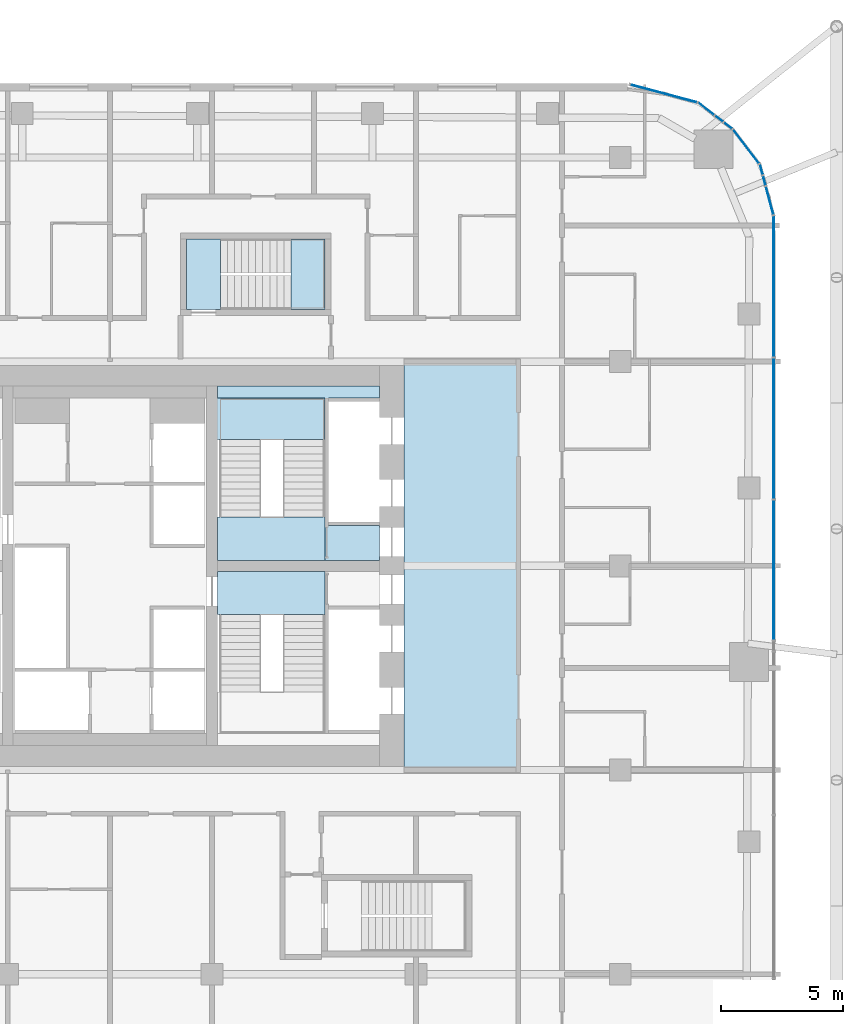
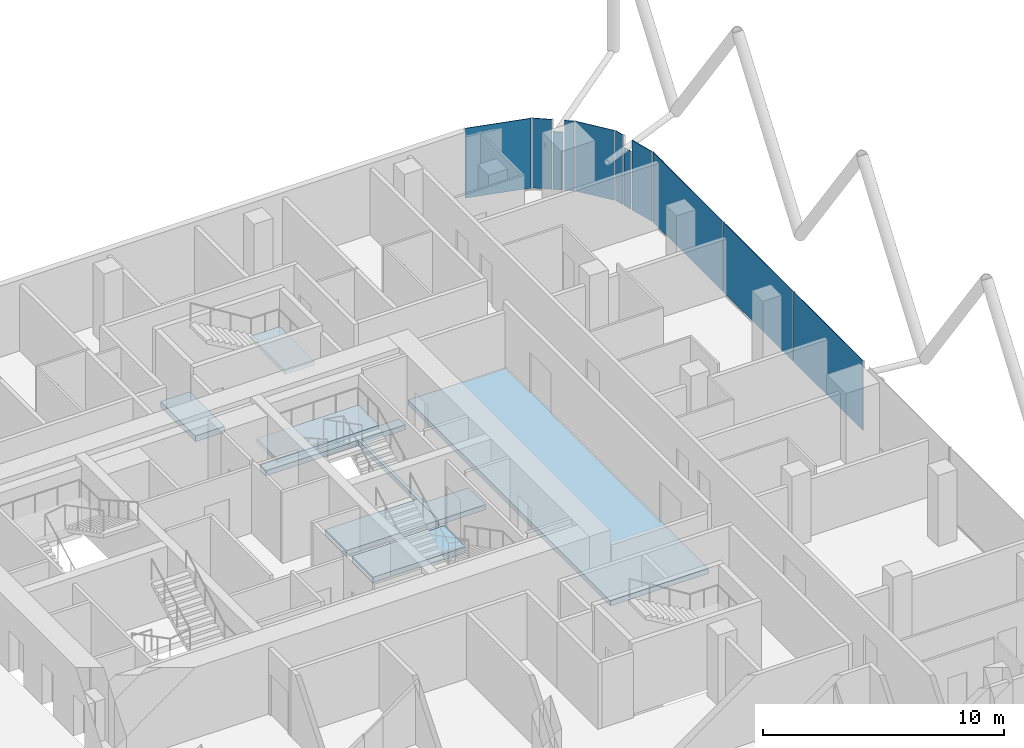
# One storey, part 26 of 36: 11 plates, 7 slabs, 11 elements without a shape of their own.
"""IFC4 building model written with IfcOpenShell, lengths in metres."""

from ifc_helpers import new_model, si_unit, direction, frame, origin, origin_2d, place, context, subcontext, project, spatial, polyline, rectangle, outline, extrude, material, layer, layer_set, type_object, element, aggregate, save


model = new_model("IFC4")

# Units and contexts
model_context = context("Model", 3, precision=1e-05, world=origin(), true_north=direction((0.0, 1.0)))
body_context = subcontext(model_context, "Body", "Model", "MODEL_VIEW")
ifc_project = project(units=[si_unit("LENGTHUNIT", "METRE"), si_unit("AREAUNIT", "SQUARE_METRE"), si_unit("VOLUMEUNIT", "CUBIC_METRE"), si_unit("PLANEANGLEUNIT", "RADIAN"), si_unit("MASSUNIT", "GRAM", prefix="KILO")], contexts=[model_context])

# Site, building, storey
site_placement = place(None, origin())
site = spatial("IfcSite", under=ifc_project, at=site_placement, CompositionType="ELEMENT")
building_placement = place(site_placement, origin())
building = spatial("IfcBuilding", under=site, at=building_placement, Name="Marenta Gate Hotel Tower", CompositionType="ELEMENT")
storey_placement = place(building_placement, frame((0.0, 0.0, 115.699951171875)))
storey = spatial("IfcBuildingStorey", under=building, at=storey_placement, Name="L25", CompositionType="ELEMENT", Elevation=115.699951171875)

# Slabs
ifc_material_1 = material(Name="Concrete C40", Category="concrete")
ifc_layer_1 = layer(ifc_material_1, 0.260009765625)
ifc_layer_set_1 = layer_set([ifc_layer_1], Name="Concrete C40")
slab_type_1 = type_object("IfcSlabType", Name="Core floor slab 260", PredefinedType="FLOOR", material=ifc_layer_set_1)
slab_1_placement = place(storey_placement, frame((0.0, 0.0, -0.260009765625)))
element("IfcSlab", 1, at=slab_1_placement, inside=storey, type_object=slab_type_1, Name="L25-CF-1", PredefinedType="FLOOR", context=body_context, shape_type="SweptSolid", body=[
    extrude(outline(polyline([(12.10009765625, 0.0), (12.10009765625, 16.800048828125), (16.800048828125, 16.800048828125), (16.800048828125, 0.0), (12.10009765625, 0.0)])), origin(), (0.0, 0.0, 1.0), 0.260009765625),
])
slab_2_placement = place(storey_placement, frame((0.0, 0.0, -0.260009765625)))
element("IfcSlab", 2, at=slab_2_placement, inside=storey, type_object=slab_type_1, Name="L25-CF-3", PredefinedType="FLOOR", context=body_context, shape_type="SweptSolid", body=[
    extrude(outline(polyline([(8.85009765625, 15.300048828125), (4.425048828125, 15.300048828125), (4.425048828125, 15.800048828125), (11.10009765625, 15.800048828125), (11.10009765625, 15.300048828125), (9.0, 15.300048828125), (9.0, 15.14990234375), (9.0, 12.75), (9.0, 12.60009765625), (9.0, 10.199951171875), (9.0, 10.050048828125), (11.10009765625, 10.050048828125), (11.10009765625, 8.625), (8.85009765625, 8.625), (8.85009765625, 8.699951171875), (8.85009765625, 10.39990234375), (8.85009765625, 15.300048828125)])), origin(), (0.0, 0.0, 1.0), 0.260009765625),
])

# Stair, slab
ifc_material_2 = material(Name="Concrete C40", Category="concrete")
stair_type_1 = type_object("IfcStairType", Name="Core exit stair 1700 wide", PredefinedType="HALF_TURN_STAIR", material=ifc_material_2)
stair_1_placement = place(storey_placement, origin())
stair_1 = element("IfcStair", 3, at=stair_1_placement, inside=storey, type_object=stair_type_1, Name="Exit stair 4", PredefinedType="HALF_TURN_STAIR")
ifc_material_3 = material(Name="Concrete C40", Category="concrete")
ifc_layer_2 = layer(ifc_material_3, 0.199951171875)
ifc_layer_set_2 = layer_set([ifc_layer_2], Name="Concrete C40")
slab_type_2 = type_object("IfcSlabType", Name="Core stair landing 200", PredefinedType="LANDING", material=ifc_layer_set_2)
slab_3_placement = place(storey_placement, frame((0.0, 0.0, 1.60009765625)))
slab_3 = element("IfcSlab", 4, at=slab_3_placement, type_object=slab_type_2, Name="SL-200 ST4 landing 1", PredefinedType="LANDING", context=body_context, shape_type="SweptSolid", body=[
    extrude(outline(polyline([(3.97509765625, 13.590087890625), (8.85009765625, 13.590087890625), (8.85009765625, 15.300048828125), (3.97509765625, 15.300048828125), (3.97509765625, 13.590087890625)])), origin(), (0.0, 0.0, 1.0), 0.199951171875),
])
aggregate(stair_1, [slab_3])

# Curtain wall, plates
ifc_material_4 = material(Name="Tinted insulated glass in bronze anodised frame", Category="glass")
ifc_layer_3 = layer(ifc_material_4, 0.1201171875)
ifc_layer_set_3 = layer_set([ifc_layer_3], Name="Tinted insulated glass in bronze anodised frame")
curtain_wall_type = type_object("IfcCurtainWallType", Name="Tower unitised curtain wall CW1", PredefinedType="NOTDEFINED", material=ifc_layer_set_3)
curtain_wall_1_placement = place(storey_placement, origin())
curtain_wall_1 = element("IfcCurtainWall", 5, at=curtain_wall_1_placement, inside=storey, type_object=curtain_wall_type, Name="CW1 run G35", PredefinedType="NOTDEFINED")
ifc_material_5 = material(Name="Tinted insulated glass", Category="glass")
ifc_layer_4 = layer(ifc_material_5, 0.028076171875)
ifc_layer_set_4 = layer_set([ifc_layer_4], Name="Tinted insulated glass")
plate_type = type_object("IfcPlateType", Name="Glass panel CW1 28 mm tinted insulated unit", PredefinedType="CURTAIN_PANEL", material=ifc_layer_set_4)
plate_1_placement = place(storey_placement, frame((27.31396484375, 8.2333984375, 0.06005859375), z_axis=(0.0, 0.0, 1.0), x_axis=(0.0, 1.0, 0.0)))
plate_1 = element("IfcPlate", 6, at=plate_1_placement, type_object=plate_type, Name="CW1 panel 1.1", PredefinedType="CURTAIN_PANEL", context=body_context, shape_type="SweptSolid", body=[
    extrude(rectangle(XDim=5.739501953125, YDim=0.028076171875, at=origin_2d()), origin(), (0.0, 0.0, 1.0), 3.5400390625),
])
plate_2_placement = place(storey_placement, frame((27.31396484375, 14.0478515625, 0.06005859375), z_axis=(0.0, 0.0, 1.0), x_axis=(0.0, 1.0, 0.0)))
plate_2 = element("IfcPlate", 7, at=plate_2_placement, type_object=plate_type, Name="CW1 panel 2.1", PredefinedType="CURTAIN_PANEL", context=body_context, shape_type="SweptSolid", body=[
    extrude(rectangle(XDim=5.769287109375, YDim=0.028076171875, at=origin_2d()), origin(), (0.0, 0.0, 1.0), 3.5400390625),
])
plate_3_placement = place(storey_placement, frame((27.31396484375, 19.89208984375, 0.06005859375), z_axis=(0.0, 0.0, 1.0), x_axis=(0.0, 1.0, 0.0)))
plate_3 = element("IfcPlate", 8, at=plate_3_placement, type_object=plate_type, Name="CW1 panel 3.1", PredefinedType="CURTAIN_PANEL", context=body_context, shape_type="SweptSolid", body=[
    extrude(rectangle(XDim=5.79931640625, YDim=0.028076171875, at=origin_2d()), origin(), (0.0, 0.0, 1.0), 3.5400390625),
])
aggregate(curtain_wall_1, [plate_1, plate_2, plate_3])

# Curtain wall, plate
curtain_wall_2_placement = place(storey_placement, origin())
curtain_wall_2 = element("IfcCurtainWall", 9, at=curtain_wall_2_placement, inside=storey, type_object=curtain_wall_type, Name="CW1 run G36", PredefinedType="NOTDEFINED")
plate_4_placement = place(storey_placement, frame((27.14501953125, 23.422607421875, 0.06005859375), z_axis=(0.0, 0.0, 1.0), x_axis=(-0.258816313572, 0.965926558196, 0.0)))
plate_4 = element("IfcPlate", 10, at=plate_4_placement, type_object=plate_type, Name="CW1 panel 1.1", PredefinedType="CURTAIN_PANEL", context=body_context, shape_type="SweptSolid", body=[
    extrude(rectangle(XDim=1.18603515625, YDim=0.028076171875, at=origin_2d()), origin(), (0.0, 0.0, 1.0), 3.5400390625),
])
aggregate(curtain_wall_2, [plate_4])

curtain_wall_3_placement = place(storey_placement, origin())
curtain_wall_3 = element("IfcCurtainWall", 11, at=curtain_wall_3_placement, inside=storey, type_object=curtain_wall_type, Name="CW1 run G37", PredefinedType="NOTDEFINED")
plate_5_placement = place(storey_placement, frame((26.924560546875, 24.2451171875, 0.06005859375), z_axis=(0.0, 0.0, 1.0), x_axis=(-0.258834595648, 0.965921659399, 0.0)))
plate_5 = element("IfcPlate", 12, at=plate_5_placement, type_object=plate_type, Name="CW1 panel 1.1", PredefinedType="CURTAIN_PANEL", context=body_context, shape_type="SweptSolid", body=[
    extrude(rectangle(XDim=0.396728515625, YDim=0.028076171875, at=origin_2d()), origin(), (0.0, 0.0, 1.0), 2.9404296875),
])
aggregate(curtain_wall_3, [plate_5])

curtain_wall_4_placement = place(storey_placement, origin())
curtain_wall_4 = element("IfcCurtainWall", 13, at=curtain_wall_4_placement, inside=storey, type_object=curtain_wall_type, Name="CW1 run G38", PredefinedType="NOTDEFINED")
plate_6_placement = place(storey_placement, frame((26.802001953125, 24.702880859375, 0.06005859375), z_axis=(0.0, 0.0, 1.0), x_axis=(-0.258827623196, 0.965923527755, 0.0)))
plate_6 = element("IfcPlate", 14, at=plate_6_placement, type_object=plate_type, Name="CW1 panel 1.1", PredefinedType="CURTAIN_PANEL", context=body_context, shape_type="SweptSolid", body=[
    extrude(rectangle(XDim=0.431396484375, YDim=0.028076171875, at=origin_2d()), origin(), (0.0, 0.0, 1.0), 3.5400390625),
])
aggregate(curtain_wall_4, [plate_6])

curtain_wall_5_placement = place(storey_placement, origin())
curtain_wall_5 = element("IfcCurtainWall", 15, at=curtain_wall_5_placement, inside=storey, type_object=curtain_wall_type, Name="CW1 run G39", PredefinedType="NOTDEFINED")
plate_7_placement = place(storey_placement, frame((26.177490234375, 25.652099609375, 0.06005859375), z_axis=(0.0, 0.0, 1.0), x_axis=(-0.608796116694, 0.793326722289, 0.0)))
plate_7 = element("IfcPlate", 16, at=plate_7_placement, type_object=plate_type, Name="CW1 panel 1.1", PredefinedType="CURTAIN_PANEL", context=body_context, shape_type="SweptSolid", body=[
    extrude(rectangle(XDim=1.747802734375, YDim=0.028076171875, at=origin_2d()), origin(), (0.0, 0.0, 1.0), 3.5400390625),
])
aggregate(curtain_wall_5, [plate_7])

curtain_wall_6_placement = place(storey_placement, origin())
curtain_wall_6 = element("IfcCurtainWall", 17, at=curtain_wall_6_placement, inside=storey, type_object=curtain_wall_type, Name="CW1 run G40", PredefinedType="NOTDEFINED")
plate_8_placement = place(storey_placement, frame((25.4345703125, 26.50732421875, 0.06005859375), z_axis=(0.0, 0.0, 1.0), x_axis=(-0.793340265701, 0.608778467767, 0.0)))
plate_8 = element("IfcPlate", 18, at=plate_8_placement, type_object=plate_type, Name="CW1 panel 1.1", PredefinedType="CURTAIN_PANEL", context=body_context, shape_type="SweptSolid", body=[
    extrude(rectangle(XDim=0.411865234375, YDim=0.028076171875, at=origin_2d()), origin(), (0.0, 0.0, 1.0), 3.5400390625),
])
aggregate(curtain_wall_6, [plate_8])

curtain_wall_7_placement = place(storey_placement, origin())
curtain_wall_7 = element("IfcCurtainWall", 19, at=curtain_wall_7_placement, inside=storey, type_object=curtain_wall_type, Name="CW1 run G41", PredefinedType="NOTDEFINED")
plate_9_placement = place(storey_placement, frame((25.06201171875, 26.793212890625, 0.06005859375), z_axis=(0.0, 0.0, 1.0), x_axis=(-0.79337187392, 0.608737274752, 0.0)))
plate_9 = element("IfcPlate", 20, at=plate_9_placement, type_object=plate_type, Name="CW1 panel 1.1", PredefinedType="CURTAIN_PANEL", context=body_context, shape_type="SweptSolid", body=[
    extrude(rectangle(XDim=0.406982421875, YDim=0.028076171875, at=origin_2d()), origin(), (0.0, 0.0, 1.0), 2.9404296875),
])
aggregate(curtain_wall_7, [plate_9])

curtain_wall_8_placement = place(storey_placement, origin())
curtain_wall_8 = element("IfcCurtainWall", 21, at=curtain_wall_8_placement, inside=storey, type_object=curtain_wall_type, Name="CW1 run G42", PredefinedType="NOTDEFINED")
plate_10_placement = place(storey_placement, frame((24.5322265625, 27.19970703125, 0.06005859375), z_axis=(0.0, 0.0, 1.0), x_axis=(-0.793295108539, 0.608837310591, 0.0)))
plate_10 = element("IfcPlate", 22, at=plate_10_placement, type_object=plate_type, Name="CW1 panel 1.1", PredefinedType="CURTAIN_PANEL", context=body_context, shape_type="SweptSolid", body=[
    extrude(rectangle(XDim=0.80908203125, YDim=0.028076171875, at=origin_2d()), origin(), (0.0, 0.0, 1.0), 3.5400390625),
])
aggregate(curtain_wall_8, [plate_10])

curtain_wall_9_placement = place(storey_placement, origin())
curtain_wall_9 = element("IfcCurtainWall", 23, at=curtain_wall_9_placement, inside=storey, type_object=curtain_wall_type, Name="CW1 run G43", PredefinedType="NOTDEFINED")
plate_11_placement = place(storey_placement, frame((22.783935546875, 27.82861328125, 0.06005859375), z_axis=(0.0, 0.0, 1.0), x_axis=(-0.965929324305, 0.258805989975, 0.0)))
plate_11 = element("IfcPlate", 24, at=plate_11_placement, type_object=plate_type, Name="CW1 panel 1.1", PredefinedType="CURTAIN_PANEL", context=body_context, shape_type="SweptSolid", body=[
    extrude(rectangle(XDim=2.83544921875, YDim=0.028076171875, at=origin_2d()), origin(), (0.0, 0.0, 1.0), 3.5400390625),
])
aggregate(curtain_wall_9, [plate_11])

# Stair, slab
ifc_material_6 = material(Name="Concrete C40", Category="concrete")
stair_type_2 = type_object("IfcStairType", Name="Remote exit stair 1400 wide", PredefinedType="HALF_TURN_STAIR", material=ifc_material_6)
stair_2_placement = place(storey_placement, origin())
stair_2 = element("IfcStair", 25, at=stair_2_placement, inside=storey, type_object=stair_type_2, Name="Exit stair RS-Z2-4", PredefinedType="HALF_TURN_STAIR")
ifc_material_7 = material(Name="Concrete C40", Category="concrete")
ifc_layer_5 = layer(ifc_material_7, 0.199951171875)
ifc_layer_set_5 = layer_set([ifc_layer_5], Name="Concrete C40")
slab_type_3 = type_object("IfcSlabType", Name="Remote stair landing 200", PredefinedType="LANDING", material=ifc_layer_set_5)
slab_4_placement = place(storey_placement, frame((0.0, 0.0, 1.60009765625)))
slab_4 = element("IfcSlab", 26, at=slab_4_placement, type_object=slab_type_3, Name="RL-200 RS-Z2-4 landing 1", PredefinedType="LANDING", context=body_context, shape_type="SweptSolid", body=[
    extrude(outline(polyline([(7.449951171875, 18.949951171875), (8.85009765625, 18.949951171875), (8.85009765625, 21.85009765625), (7.449951171875, 21.85009765625), (7.449951171875, 18.949951171875)])), origin(), (0.0, 0.0, 1.0), 0.199951171875),
])
aggregate(stair_2, [slab_4])

# Slabs
ifc_material_8 = material(Name="Concrete C40", Category="concrete")
ifc_layer_6 = layer(ifc_material_8, 0.300048828125)
ifc_layer_set_6 = layer_set([ifc_layer_6], Name="Concrete C40")
slab_type_4 = type_object("IfcSlabType", Name="Stair floor landing slab 300", PredefinedType="FLOOR", material=ifc_layer_set_6)
slab_5_placement = place(storey_placement, frame((0.0, 0.0, -0.300048828125)))
element("IfcSlab", 27, at=slab_5_placement, inside=storey, type_object=slab_type_4, Name="L25-CL-ST3-1", PredefinedType="FLOOR", context=body_context, shape_type="SweptSolid", body=[
    extrude(outline(polyline([(4.425048828125, 6.39990234375), (4.425048828125, 8.175048828125), (8.85009765625, 8.175048828125), (8.85009765625, 8.10009765625), (8.85009765625, 6.39990234375), (4.425048828125, 6.39990234375)])), origin(), (0.0, 0.0, 1.0), 0.300048828125),
])
slab_6_placement = place(storey_placement, frame((0.0, 0.0, -0.300048828125)))
element("IfcSlab", 28, at=slab_6_placement, inside=storey, type_object=slab_type_4, Name="L25-CL-ST4-1", PredefinedType="FLOOR", context=body_context, shape_type="SweptSolid", body=[
    extrude(outline(polyline([(4.425048828125, 8.625), (4.425048828125, 10.39990234375), (8.85009765625, 10.39990234375), (8.85009765625, 8.699951171875), (8.85009765625, 8.625), (4.425048828125, 8.625)])), origin(), (0.0, 0.0, 1.0), 0.300048828125),
])
slab_7_placement = place(storey_placement, frame((0.0, 0.0, -0.300048828125)))
element("IfcSlab", 29, at=slab_7_placement, inside=storey, type_object=slab_type_4, Name="L25-RS-Z2-4-CL", PredefinedType="FLOOR", context=body_context, shape_type="SweptSolid", body=[
    extrude(outline(polyline([(4.550048828125, 18.949951171875), (4.550048828125, 21.85009765625), (3.14990234375, 21.85009765625), (3.14990234375, 18.949951171875), (4.550048828125, 18.949951171875)])), origin(), (0.0, 0.0, 1.0), 0.300048828125),
])

save(model, "model.ifc")
